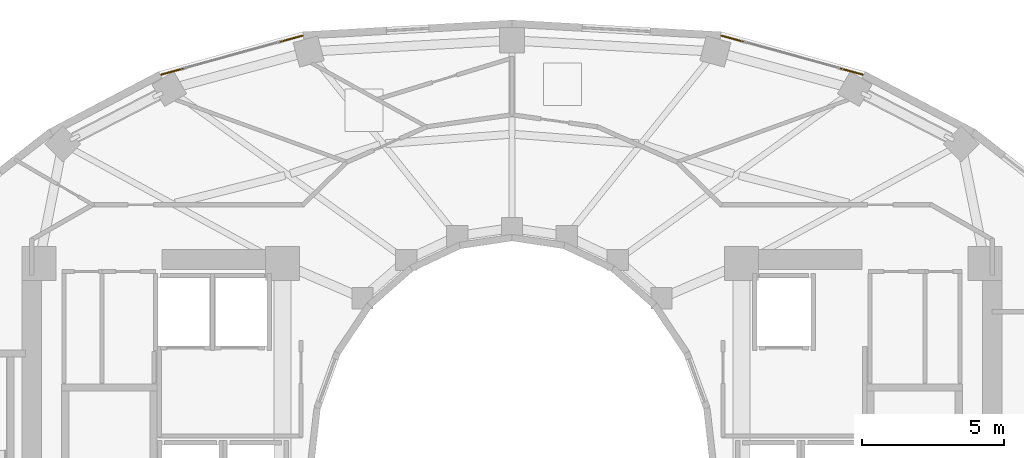
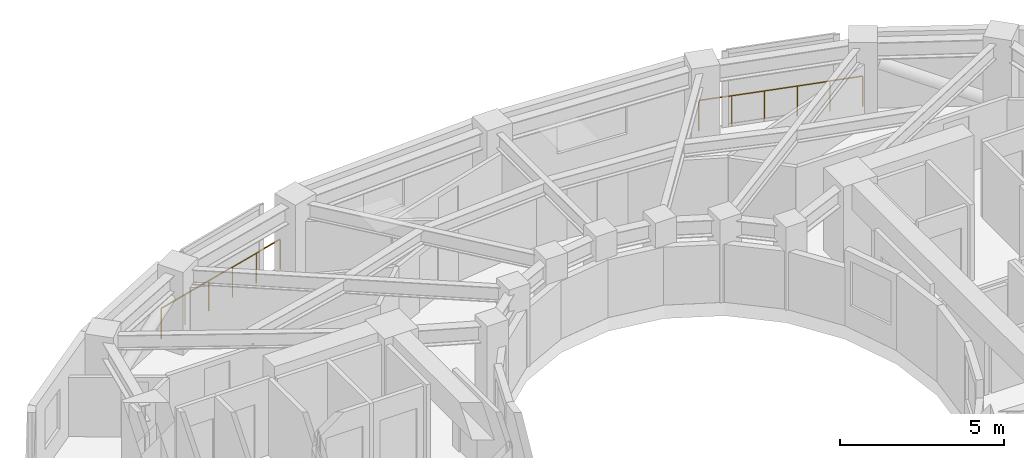
# One storey, part 17 of 17: 2 railings.
"""IFC4 building model written with IfcOpenShell, lengths in metres."""

from ifc_helpers import new_model, si_unit, direction, frame, origin, origin_2d, place, context, subcontext, project, spatial, circle, extrude, material, type_object, element, save


model = new_model("IFC4")

# Units and contexts
model_context = context("Model", 3, precision=1e-05, world=origin(), true_north=direction((0.0, 1.0)))
body_context = subcontext(model_context, "Body", "Model", "MODEL_VIEW")
ifc_project = project(units=[si_unit("LENGTHUNIT", "METRE"), si_unit("AREAUNIT", "SQUARE_METRE"), si_unit("VOLUMEUNIT", "CUBIC_METRE"), si_unit("PLANEANGLEUNIT", "RADIAN"), si_unit("MASSUNIT", "GRAM", prefix="KILO")], contexts=[model_context])

# Site, building, storey
site_placement = place(None, origin())
site = spatial("IfcSite", under=ifc_project, at=site_placement, CompositionType="ELEMENT")
building_placement = place(site_placement, origin())
building = spatial("IfcBuilding", under=site, at=building_placement, Name="Solvane Sanctuary Tower", CompositionType="ELEMENT")
storey_placement = place(building_placement, frame((0.0, 0.0, 171.5)))
storey = spatial("IfcBuildingStorey", under=building, at=storey_placement, Name="L52", CompositionType="ELEMENT", Elevation=171.5)

# Railings
ifc_material = material(Name="Architectural Stainless Steel 316", Category="steel")
railing_type = type_object("IfcRailingType", Name="Railing GR-BALC-1150", PredefinedType="BALUSTRADE", material=ifc_material)
railing_1_placement = place(storey_placement, frame((44.38427734375, 36.871337890625, 0.0)))
element("IfcRailing", 1, at=railing_1_placement, inside=storey, type_object=railing_type, Name="L52 Curtain-Wall Perimeter Sill Guard 04", PredefinedType="BALUSTRADE", context=body_context, shape_type="SweptSolid", body=[
    extrude(circle(Radius=0.02392578125, at=origin_2d()), frame((0.0, 0.0, 1.1259765625), z_axis=(-0.963963847171, 0.26603327113, 0.0), x_axis=(-0.26603327113, -0.963963847171, 0.0)), (0.0, 0.0, 1.0), 5.1767578125),
    extrude(circle(Radius=0.02099609375, at=origin_2d()), origin(), (0.0, 0.0, 1.0), 1.101806640625),
    extrude(circle(Radius=0.02099609375, at=origin_2d()), frame((-0.998046875, 0.275390625, 0.0)), (0.0, 0.0, 1.0), 1.101806640625),
    extrude(circle(Radius=0.02099609375, at=origin_2d()), frame((-1.99609375, 0.55078125, 0.0)), (0.0, 0.0, 1.0), 1.101806640625),
    extrude(circle(Radius=0.02099609375, at=origin_2d()), frame((-2.994140625, 0.826416015625, 0.0)), (0.0, 0.0, 1.0), 1.101806640625),
    extrude(circle(Radius=0.02099609375, at=origin_2d()), frame((-3.9921875, 1.101806640625, 0.0)), (0.0, 0.0, 1.0), 1.101806640625),
    extrude(circle(Radius=0.02099609375, at=origin_2d()), frame((-4.990234375, 1.377197265625, 0.0)), (0.0, 0.0, 1.0), 1.101806640625),
])
railing_2_placement = place(storey_placement, frame((24.60595703125, 38.24853515625, 0.0)))
element("IfcRailing", 2, at=railing_2_placement, inside=storey, type_object=railing_type, Name="L52 Curtain-Wall Perimeter Sill Guard 07", PredefinedType="BALUSTRADE", context=body_context, shape_type="SweptSolid", body=[
    extrude(circle(Radius=0.02392578125, at=origin_2d()), frame((0.0, 0.0, 1.1259765625), z_axis=(-0.963963847171, -0.26603327113, 0.0), x_axis=(0.26603327113, -0.963963847171, 0.0)), (0.0, 0.0, 1.0), 5.1767578125),
    extrude(circle(Radius=0.02099609375, at=origin_2d()), origin(), (0.0, 0.0, 1.0), 1.101806640625),
    extrude(circle(Radius=0.02099609375, at=origin_2d()), frame((-0.998046875, -0.275390625, 0.0)), (0.0, 0.0, 1.0), 1.101806640625),
    extrude(circle(Radius=0.02099609375, at=origin_2d()), frame((-1.99609375, -0.55078125, 0.0)), (0.0, 0.0, 1.0), 1.101806640625),
    extrude(circle(Radius=0.02099609375, at=origin_2d()), frame((-2.994140625, -0.826416015625, 0.0)), (0.0, 0.0, 1.0), 1.101806640625),
    extrude(circle(Radius=0.02099609375, at=origin_2d()), frame((-3.9921875, -1.101806640625, 0.0)), (0.0, 0.0, 1.0), 1.101806640625),
    extrude(circle(Radius=0.02099609375, at=origin_2d()), frame((-4.990234375, -1.377197265625, 0.0)), (0.0, 0.0, 1.0), 1.101806640625),
])

save(model, "model.ifc")
